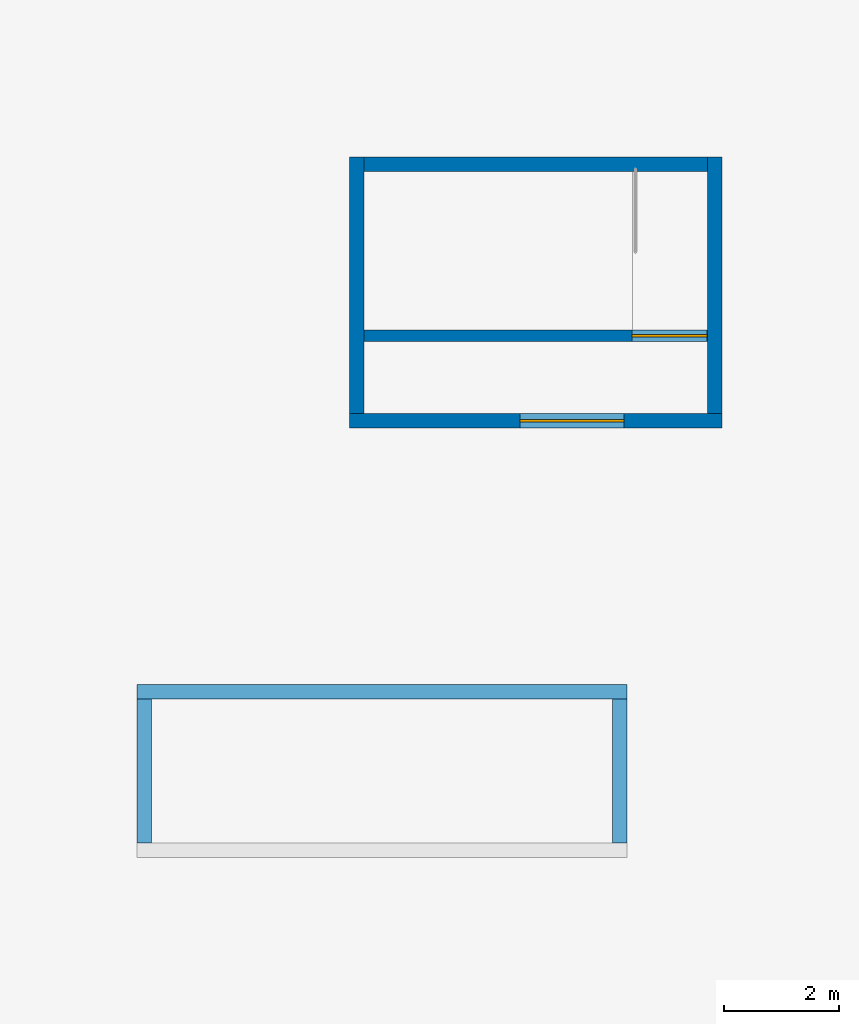
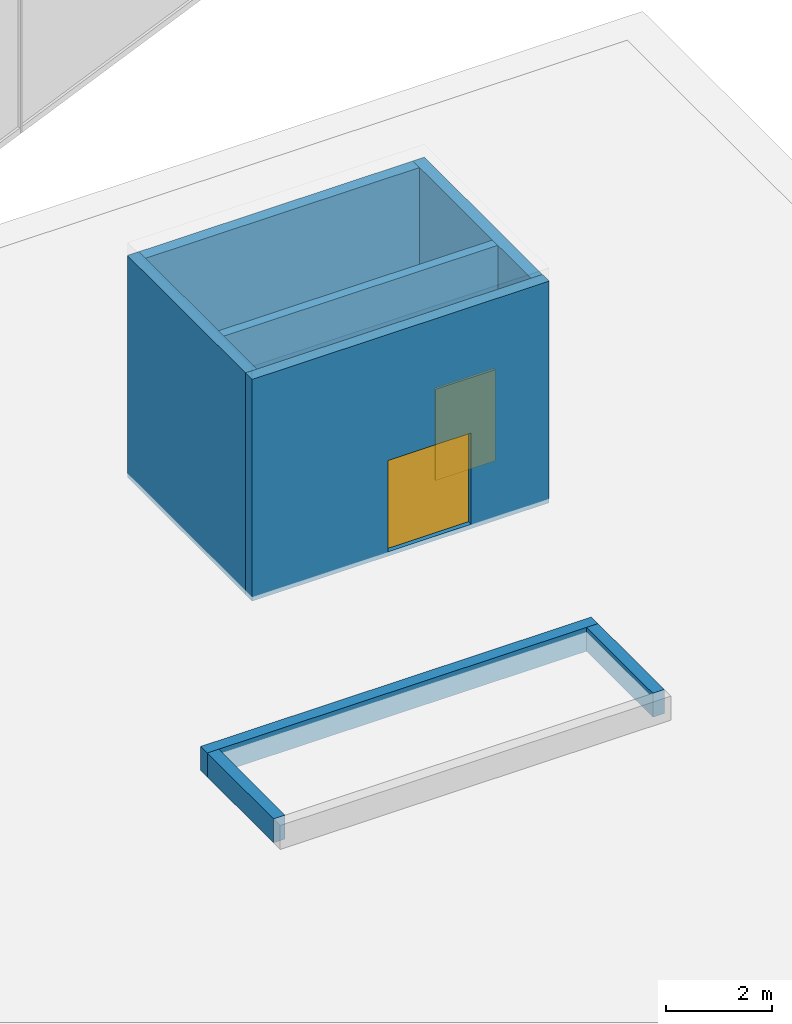
# One storey, part 26 of 60: 8 walls, 2 doors, 2 openings.
"""IFC4 building model written with IfcOpenShell, lengths in metres."""

from ifc_helpers import new_model, si_unit, direction, frame, frame_2d, origin, place, context, subcontext, project, spatial, rectangle, extrude, material, layer, layer_set, type_object, element, fill, save


model = new_model("IFC4")

# Units and contexts
model_context = context("Model", 3, precision=1e-05, world=origin(), true_north=direction((0.0, 1.0)))
body_context = subcontext(model_context, "Body", "Model", "MODEL_VIEW")
ifc_project = project(units=[si_unit("LENGTHUNIT", "METRE"), si_unit("AREAUNIT", "SQUARE_METRE"), si_unit("VOLUMEUNIT", "CUBIC_METRE"), si_unit("PLANEANGLEUNIT", "RADIAN"), si_unit("MASSUNIT", "GRAM", prefix="KILO")], contexts=[model_context])

# Site, building, storey
site_placement = place(None, origin())
site = spatial("IfcSite", under=ifc_project, at=site_placement, CompositionType="ELEMENT")
building_placement = place(site_placement, origin())
building = spatial("IfcBuilding", under=site, at=building_placement, Name="Stone Belt Terrace Tower", CompositionType="ELEMENT")
storey_placement = place(building_placement, origin())
storey = spatial("IfcBuildingStorey", under=building, at=storey_placement, Name="L00", CompositionType="ELEMENT", Elevation=0.0)

# Wall, opening, door
ifc_material_1 = material(Name="Concrete B30", Category="concrete")
ifc_layer_1 = layer(ifc_material_1, 0.199951171875)
ifc_layer_set_1 = layer_set([ifc_layer_1], Name="Car park core wall 200 variant B")
wall_type_1 = type_object("IfcWallType", Name="Car park core wall 200 variant B", PredefinedType="SOLIDWALL", material=ifc_layer_set_1)
wall_1_placement = place(storey_placement, frame((17.68994140625, -5.199951171875, -0.10009765625), z_axis=(0.0, 0.0, 1.0), x_axis=(1.0, 0.0, 0.0)))
wall_1 = element("IfcWall", 1, at=wall_1_placement, inside=storey, type_object=wall_type_1, Name="Car park stair 4 wall", PredefinedType="SOLIDWALL", context=body_context, shape_type="SweptSolid", body=[
    extrude(rectangle(XDim=5.9599609375, YDim=0.199951171875, at=frame_2d((2.97998046875, 0.0))), origin(), (0.0, 0.0, 1.0), 5.10009765625),
])
opening_1_placement = place(wall_1_placement, frame((4.64990234375, 0.0, 0.10009765625)))
opening_1 = element("IfcOpeningElement", 2, at=opening_1_placement, cuts=wall_1, Name="Opening L00-S04", PredefinedType="OPENING", context=body_context, shape_type="SweptSolid", body=[
    extrude(rectangle(XDim=1.300048828125, YDim=2.10009765625, at=frame_2d((0.64990234375, 1.050048828125))), frame((0.0, 0.10986328125, 0.0), z_axis=(0.0, -1.0, 0.0), x_axis=(1.0, 0.0, 0.0)), (0.0, 0.0, 1.0), 0.219970703125),
])
ifc_material_2 = material(Name="Steel door leaf", Category="steel")
door_type_1 = type_object("IfcDoorType", Name="Core door 1300 fire rated", OperationType="NOTDEFINED", PredefinedType="DOOR", material=ifc_material_2)
door_1_placement = place(opening_1_placement, origin())
door_1 = element("IfcDoor", 3, at=door_1_placement, inside=storey, type_object=door_type_1, Name="Stair 4 door", OperationType="SINGLE_SWING_RIGHT", OverallHeight=2.10009765625, OverallWidth=1.300048828125, PredefinedType="DOOR", context=body_context, shape_type="SweptSolid", body=[
    extrude(rectangle(XDim=1.300048828125, YDim=2.10009765625, at=frame_2d((0.64990234375, 1.050048828125))), frame((0.0, 0.02490234375, 0.0), z_axis=(0.0, -1.0, 0.0), x_axis=(1.0, 0.0, 0.0)), (0.0, 0.0, 1.0), 0.050048828125),
])
fill(opening_1, door_1)

ifc_material_3 = material(Name="Blockwork", Category="masonry")
ifc_layer_2 = layer(ifc_material_3, 0.25)
ifc_layer_set_2 = layer_set([ifc_layer_2], Name="Car park head house wall 250")
wall_type_2 = type_object("IfcWallType", Name="Car park head house wall 250", PredefinedType="STANDARD", material=ifc_layer_set_2)
wall_2_placement = place(storey_placement, frame((23.89990234375, -6.675048828125, -0.10009765625), z_axis=(0.0, 0.0, 1.0), x_axis=(-1.0, 0.0, 0.0)))
wall_2 = element("IfcWall", 4, at=wall_2_placement, inside=storey, type_object=wall_type_2, Name="Car park stair 4 house front wall", PredefinedType="STANDARD", context=body_context, shape_type="SweptSolid", body=[
    extrude(rectangle(XDim=6.4599609375, YDim=0.25, at=frame_2d((3.22998046875, 0.0))), origin(), (0.0, 0.0, 1.0), 5.10009765625),
])
opening_2_placement = place(wall_2_placement, frame((1.699951171875, 0.0, 0.10009765625)))
opening_2 = element("IfcOpeningElement", 5, at=opening_2_placement, cuts=wall_2, Name="Opening L00-S03", PredefinedType="OPENING", context=body_context, shape_type="SweptSolid", body=[
    extrude(rectangle(XDim=1.800048828125, YDim=2.10009765625, at=frame_2d((0.89990234375, 1.050048828125))), frame((0.0, 0.135009765625, 0.0), z_axis=(0.0, -1.0, 0.0), x_axis=(1.0, 0.0, 0.0)), (0.0, 0.0, 1.0), 0.27001953125),
])
door_type_2 = type_object("IfcDoorType", Name="Corridor door pair 1800", OperationType="DOUBLE_DOOR_DOUBLE_SWING", PredefinedType="DOOR", material=ifc_material_2)
door_2_placement = place(opening_2_placement, origin())
door_2 = element("IfcDoor", 6, at=door_2_placement, inside=storey, type_object=door_type_2, Name="Car park stair 4 house entrance", OperationType="SINGLE_SWING_LEFT", OverallHeight=2.10009765625, OverallWidth=1.800048828125, PredefinedType="DOOR", context=body_context, shape_type="SweptSolid", body=[
    extrude(rectangle(XDim=1.800048828125, YDim=2.10009765625, at=frame_2d((0.89990234375, 1.050048828125))), frame((0.0, 0.02490234375, 0.0), z_axis=(0.0, -1.0, 0.0), x_axis=(1.0, 0.0, 0.0)), (0.0, 0.0, 1.0), 0.050048828125),
])
fill(opening_2, door_2)

# Walls
for number, where, z_axis, x_axis, name in (
    (7, (23.77490234375, -6.550048828125, -0.10009765625), (0.0, 0.0, 1.0), (0.0, 1.0, 0.0), "Car park stair 4 house wall"),
    (8, (17.56494140625, -6.550048828125, -0.10009765625), (0.0, 0.0, 1.0), (0.0, 1.0, 0.0), "Car park stair 4 house wall"),
):
    element("IfcWall", number, at=place(storey_placement, frame(where, z_axis=z_axis, x_axis=x_axis)), inside=storey, type_object=wall_type_2, Name=name, PredefinedType="STANDARD", context=body_context, shape_type="SweptSolid", body=[
        extrude(rectangle(XDim=4.449951171875, YDim=0.25, at=frame_2d((2.22509765625, 0.0))), origin(), (0.0, 0.0, 1.0), 5.10009765625),
    ])
wall_3_placement = place(storey_placement, frame((17.68994140625, -2.22509765625, -0.10009765625), z_axis=(0.0, 0.0, 1.0), x_axis=(1.0, 0.0, 0.0)))
element("IfcWall", 9, at=wall_3_placement, inside=storey, type_object=wall_type_2, Name="Car park stair 4 house wall", PredefinedType="STANDARD", context=body_context, shape_type="SweptSolid", body=[
    extrude(rectangle(XDim=5.9599609375, YDim=0.25, at=frame_2d((2.97998046875, 0.0))), origin(), (0.0, 0.0, 1.0), 5.10009765625),
])
ifc_material_4 = material(Name="Concrete B25", Category="concrete")
ifc_layer_3 = layer(ifc_material_4, 0.25)
ifc_layer_set_3 = layer_set([ifc_layer_3], Name="PLANTER kerb 250")
wall_type_3 = type_object("IfcWallType", Name="PLANTER kerb 250", PredefinedType="STANDARD", material=ifc_layer_set_3)
wall_4_placement = place(storey_placement, frame((13.75, -11.375, 0.0), z_axis=(0.0, 0.0, 1.0), x_axis=(1.0, 0.0, 0.0)))
element("IfcWall", 10, at=wall_4_placement, inside=storey, type_object=wall_type_3, Name="PLANTER 6 kerb", PredefinedType="STANDARD", context=body_context, shape_type="SweptSolid", body=[
    extrude(rectangle(XDim=8.5, YDim=0.25, at=frame_2d((4.25, 0.0))), origin(), (0.0, 0.0, 1.0), 0.550048828125),
])
for number, where, z_axis, x_axis, name in (
    (11, (13.875, -14.0, 0.0), (0.0, 0.0, 1.0), (0.0, 1.0, 0.0), "PLANTER 6 kerb"),
    (12, (22.125, -14.0, 0.0), (0.0, 0.0, 1.0), (0.0, 1.0, 0.0), "PLANTER 6 kerb"),
):
    element("IfcWall", number, at=place(storey_placement, frame(where, z_axis=z_axis, x_axis=x_axis)), inside=storey, type_object=wall_type_3, Name=name, PredefinedType="STANDARD", context=body_context, shape_type="SweptSolid", body=[
        extrude(rectangle(XDim=2.5, YDim=0.25, at=frame_2d((1.25, 0.0))), origin(), (0.0, 0.0, 1.0), 0.550048828125),
    ])

save(model, "model.ifc")
